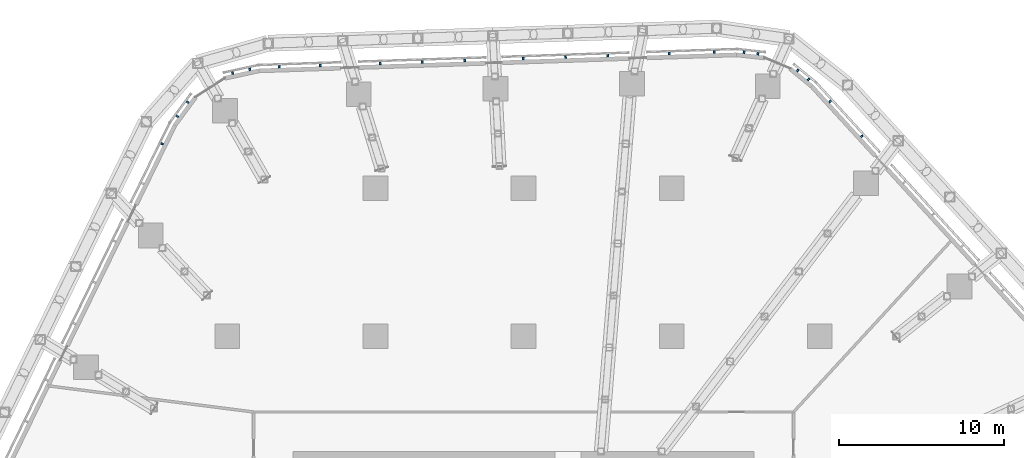
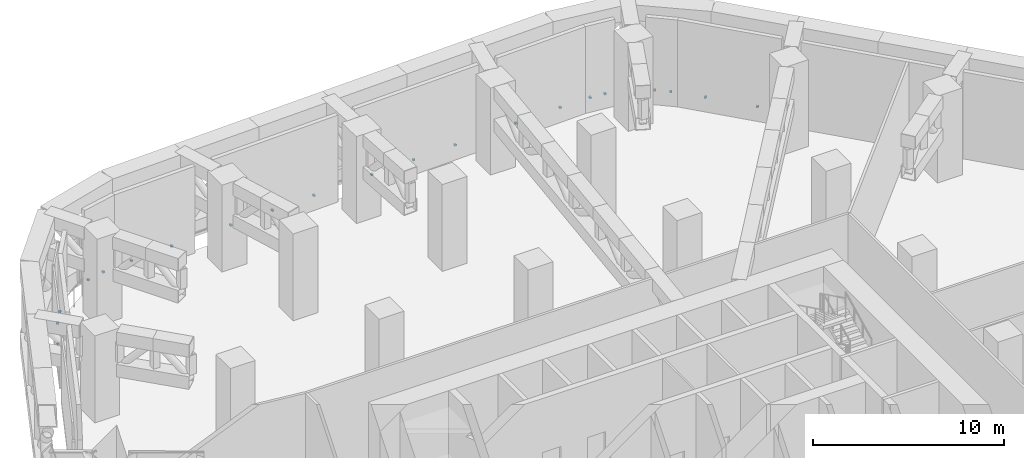
# One storey, part 30 of 38: 21 discrete accessories, 5 elements without a shape of their own.
"""IFC4 building model written with IfcOpenShell, lengths in metres."""

from ifc_helpers import new_model, si_unit, direction, frame, origin, origin_2d, place, context, subcontext, project, spatial, rectangle, extrude, material, layer, layer_set, type_object, element, aggregate, save


model = new_model("IFC4")

# Units and contexts
model_context = context("Model", 3, precision=1e-05, world=origin(), true_north=direction((0.0, 1.0)))
body_context = subcontext(model_context, "Body", "Model", "MODEL_VIEW")
ifc_project = project(units=[si_unit("LENGTHUNIT", "METRE"), si_unit("AREAUNIT", "SQUARE_METRE"), si_unit("VOLUMEUNIT", "CUBIC_METRE"), si_unit("PLANEANGLEUNIT", "RADIAN"), si_unit("MASSUNIT", "GRAM", prefix="KILO")], contexts=[model_context])

# Site, building, storey
site_placement = place(None, origin())
site = spatial("IfcSite", under=ifc_project, at=site_placement, CompositionType="ELEMENT")
building_placement = place(site_placement, origin())
building = spatial("IfcBuilding", under=site, at=building_placement, Name="Dongbaek Canopy Tower", CompositionType="ELEMENT")
storey_placement = place(building_placement, frame((0.0, 0.0, 89.199951171875)))
storey = spatial("IfcBuildingStorey", under=building, at=storey_placement, Name="L18", CompositionType="ELEMENT", Elevation=89.199951171875)

# Curtain wall, discrete accessories
ifc_material_1 = material(Name="Aluminium 6063-T6 pale anodised", Category="aluminium")
ifc_layer = layer(ifc_material_1, 0.14990234375)
ifc_layer_set = layer_set([ifc_layer], Name="CW-7 louvre curtain wall")
curtain_wall_type = type_object("IfcCurtainWallType", Name="CW-7 louvre curtain wall", PredefinedType="NOTDEFINED", material=ifc_layer_set)
curtain_wall_1_placement = place(storey_placement, origin())
curtain_wall_1 = element("IfcCurtainWall", 1, at=curtain_wall_1_placement, inside=storey, type_object=curtain_wall_type, Name="CW-7 louvre wall L18 F0", PredefinedType="NOTDEFINED")
ifc_material_2 = material(Name="Galvanised steel S355 bracket", Category="steel")
discrete_accessory_type = type_object("IfcDiscreteAccessoryType", Name="Louvre bracket BR1", PredefinedType="BRACKET", material=ifc_material_2)
discrete_accessory_1_placement = place(storey_placement, frame((20.550537109375, 30.158203125, 0.6650390625), z_axis=(0.0, 0.0, 1.0), x_axis=(-0.674646668897, 0.738140821352, 0.0)))
discrete_accessory_1 = element("IfcDiscreteAccessory", 2, at=discrete_accessory_1_placement, type_object=discrete_accessory_type, Name="Louvre bracket L18 F0.4.1", PredefinedType="BRACKET", context=body_context, shape_type="SweptSolid", body=[
    extrude(rectangle(XDim=0.1201171875, YDim=0.14990234375, at=origin_2d()), origin(), (0.0, 0.0, 1.0), 0.10009765625),
])
discrete_accessory_2_placement = place(storey_placement, frame((18.6240234375, 32.266357421875, 0.6650390625), z_axis=(0.0, 0.0, 1.0), x_axis=(-0.674646668897, 0.738140821352, 0.0)))
discrete_accessory_2 = element("IfcDiscreteAccessory", 3, at=discrete_accessory_2_placement, type_object=discrete_accessory_type, Name="Louvre bracket L18 F0.4.2", PredefinedType="BRACKET", context=body_context, shape_type="SweptSolid", body=[
    extrude(rectangle(XDim=0.1201171875, YDim=0.14990234375, at=origin_2d()), origin(), (0.0, 0.0, 1.0), 0.10009765625),
])
aggregate(curtain_wall_1, [discrete_accessory_1, discrete_accessory_2])

curtain_wall_2_placement = place(storey_placement, origin())
curtain_wall_2 = element("IfcCurtainWall", 4, at=curtain_wall_2_placement, inside=storey, type_object=curtain_wall_type, Name="CW-7 louvre wall L18 K1", PredefinedType="NOTDEFINED")
discrete_accessory_3_placement = place(storey_placement, frame((17.31103515625, 33.609375, 0.6650390625), z_axis=(0.0, 0.0, 1.0), x_axis=(-0.773563840337, 0.633718379821, 0.0)))
discrete_accessory_3 = element("IfcDiscreteAccessory", 5, at=discrete_accessory_3_placement, type_object=discrete_accessory_type, Name="Louvre bracket L18 K1.1.1", PredefinedType="BRACKET", context=body_context, shape_type="SweptSolid", body=[
    extrude(rectangle(XDim=0.1201171875, YDim=0.14990234375, at=origin_2d()), origin(), (0.0, 0.0, 1.0), 0.10009765625),
])
discrete_accessory_4_placement = place(storey_placement, frame((16.653564453125, 34.14794921875, 0.6650390625), z_axis=(0.0, 0.0, 1.0), x_axis=(-0.773563840337, 0.633718379821, 0.0)))
discrete_accessory_4 = element("IfcDiscreteAccessory", 6, at=discrete_accessory_4_placement, type_object=discrete_accessory_type, Name="Louvre bracket L18 K1.1.2", PredefinedType="BRACKET", context=body_context, shape_type="SweptSolid", body=[
    extrude(rectangle(XDim=0.1201171875, YDim=0.14990234375, at=origin_2d()), origin(), (0.0, 0.0, 1.0), 0.10009765625),
])
discrete_accessory_5_placement = place(storey_placement, frame((14.23779296875, 35.164794921875, 0.6650390625), z_axis=(0.0, 0.0, 1.0), x_axis=(-0.993899819316, 0.110286668117, 0.0)))
discrete_accessory_5 = element("IfcDiscreteAccessory", 7, at=discrete_accessory_5_placement, type_object=discrete_accessory_type, Name="Louvre bracket L18 K1.2.1", PredefinedType="BRACKET", context=body_context, shape_type="SweptSolid", body=[
    extrude(rectangle(XDim=0.1201171875, YDim=0.14990234375, at=origin_2d()), origin(), (0.0, 0.0, 1.0), 0.10009765625),
])
discrete_accessory_6_placement = place(storey_placement, frame((13.39306640625, 35.258544921875, 0.6650390625), z_axis=(0.0, 0.0, 1.0), x_axis=(-0.993899819316, 0.110286668117, 0.0)))
discrete_accessory_6 = element("IfcDiscreteAccessory", 8, at=discrete_accessory_6_placement, type_object=discrete_accessory_type, Name="Louvre bracket L18 K1.2.2", PredefinedType="BRACKET", context=body_context, shape_type="SweptSolid", body=[
    extrude(rectangle(XDim=0.1201171875, YDim=0.14990234375, at=origin_2d()), origin(), (0.0, 0.0, 1.0), 0.10009765625),
])
aggregate(curtain_wall_2, [discrete_accessory_3, discrete_accessory_4, discrete_accessory_5, discrete_accessory_6])

curtain_wall_3_placement = place(storey_placement, origin())
curtain_wall_3 = element("IfcCurtainWall", 9, at=curtain_wall_3_placement, inside=storey, type_object=curtain_wall_type, Name="CW-7 louvre wall L18 F1", PredefinedType="NOTDEFINED")
discrete_accessory_7_placement = place(storey_placement, frame((11.578369140625, 35.260986328125, 0.6650390625), z_axis=(0.0, 0.0, 1.0), x_axis=(-0.999440657305, -0.033442077166, 0.0)))
discrete_accessory_7 = element("IfcDiscreteAccessory", 10, at=discrete_accessory_7_placement, type_object=discrete_accessory_type, Name="Louvre bracket L18 F1.1.1", PredefinedType="BRACKET", context=body_context, shape_type="SweptSolid", body=[
    extrude(rectangle(XDim=0.1201171875, YDim=0.14990234375, at=origin_2d()), origin(), (0.0, 0.0, 1.0), 0.10009765625),
])
discrete_accessory_8_placement = place(storey_placement, frame((8.8515625, 35.169677734375, 0.6650390625), z_axis=(0.0, 0.0, 1.0), x_axis=(-0.999440657305, -0.033442077166, 0.0)))
discrete_accessory_8 = element("IfcDiscreteAccessory", 11, at=discrete_accessory_8_placement, type_object=discrete_accessory_type, Name="Louvre bracket L18 F1.1.2", PredefinedType="BRACKET", context=body_context, shape_type="SweptSolid", body=[
    extrude(rectangle(XDim=0.1201171875, YDim=0.14990234375, at=origin_2d()), origin(), (0.0, 0.0, 1.0), 0.10009765625),
])
discrete_accessory_9_placement = place(storey_placement, frame((5.108642578125, 35.04443359375, 0.6650390625), z_axis=(0.0, 0.0, 1.0), x_axis=(-0.999440657305, -0.033442077166, 0.0)))
discrete_accessory_9 = element("IfcDiscreteAccessory", 12, at=discrete_accessory_9_placement, type_object=discrete_accessory_type, Name="Louvre bracket L18 F1.2.1", PredefinedType="BRACKET", context=body_context, shape_type="SweptSolid", body=[
    extrude(rectangle(XDim=0.1201171875, YDim=0.14990234375, at=origin_2d()), origin(), (0.0, 0.0, 1.0), 0.10009765625),
])
discrete_accessory_10_placement = place(storey_placement, frame((2.54638671875, 34.958740234375, 0.6650390625), z_axis=(0.0, 0.0, 1.0), x_axis=(-0.999440657305, -0.033442077166, 0.0)))
discrete_accessory_10 = element("IfcDiscreteAccessory", 13, at=discrete_accessory_10_placement, type_object=discrete_accessory_type, Name="Louvre bracket L18 F1.2.2", PredefinedType="BRACKET", context=body_context, shape_type="SweptSolid", body=[
    extrude(rectangle(XDim=0.1201171875, YDim=0.14990234375, at=origin_2d()), origin(), (0.0, 0.0, 1.0), 0.10009765625),
])
discrete_accessory_11_placement = place(storey_placement, frame((-0.015869140625, 34.873046875, 0.6650390625), z_axis=(0.0, 0.0, 1.0), x_axis=(-0.999440657305, -0.033442077166, 0.0)))
discrete_accessory_11 = element("IfcDiscreteAccessory", 14, at=discrete_accessory_11_placement, type_object=discrete_accessory_type, Name="Louvre bracket L18 F1.2.3", PredefinedType="BRACKET", context=body_context, shape_type="SweptSolid", body=[
    extrude(rectangle(XDim=0.1201171875, YDim=0.14990234375, at=origin_2d()), origin(), (0.0, 0.0, 1.0), 0.10009765625),
])
discrete_accessory_12_placement = place(storey_placement, frame((-3.58740234375, 34.75341796875, 0.6650390625), z_axis=(0.0, 0.0, 1.0), x_axis=(-0.999440657305, -0.033442077166, 0.0)))
discrete_accessory_12 = element("IfcDiscreteAccessory", 15, at=discrete_accessory_12_placement, type_object=discrete_accessory_type, Name="Louvre bracket L18 F1.3.1", PredefinedType="BRACKET", context=body_context, shape_type="SweptSolid", body=[
    extrude(rectangle(XDim=0.1201171875, YDim=0.14990234375, at=origin_2d()), origin(), (0.0, 0.0, 1.0), 0.10009765625),
])
discrete_accessory_13_placement = place(storey_placement, frame((-6.154296875, 34.667724609375, 0.6650390625), z_axis=(0.0, 0.0, 1.0), x_axis=(-0.999440657305, -0.033442077166, 0.0)))
discrete_accessory_13 = element("IfcDiscreteAccessory", 16, at=discrete_accessory_13_placement, type_object=discrete_accessory_type, Name="Louvre bracket L18 F1.3.2", PredefinedType="BRACKET", context=body_context, shape_type="SweptSolid", body=[
    extrude(rectangle(XDim=0.1201171875, YDim=0.14990234375, at=origin_2d()), origin(), (0.0, 0.0, 1.0), 0.10009765625),
])
discrete_accessory_14_placement = place(storey_placement, frame((-8.72119140625, 34.581787109375, 0.6650390625), z_axis=(0.0, 0.0, 1.0), x_axis=(-0.999440657305, -0.033442077166, 0.0)))
discrete_accessory_14 = element("IfcDiscreteAccessory", 17, at=discrete_accessory_14_placement, type_object=discrete_accessory_type, Name="Louvre bracket L18 F1.3.3", PredefinedType="BRACKET", context=body_context, shape_type="SweptSolid", body=[
    extrude(rectangle(XDim=0.1201171875, YDim=0.14990234375, at=origin_2d()), origin(), (0.0, 0.0, 1.0), 0.10009765625),
])
discrete_accessory_15_placement = place(storey_placement, frame((-12.359375, 34.4599609375, 0.6650390625), z_axis=(0.0, 0.0, 1.0), x_axis=(-0.999440657305, -0.033442077166, 0.0)))
discrete_accessory_15 = element("IfcDiscreteAccessory", 18, at=discrete_accessory_15_placement, type_object=discrete_accessory_type, Name="Louvre bracket L18 F1.4.1", PredefinedType="BRACKET", context=body_context, shape_type="SweptSolid", body=[
    extrude(rectangle(XDim=0.1201171875, YDim=0.14990234375, at=origin_2d()), origin(), (0.0, 0.0, 1.0), 0.10009765625),
])
discrete_accessory_16_placement = place(storey_placement, frame((-14.840576171875, 34.376953125, 0.6650390625), z_axis=(0.0, 0.0, 1.0), x_axis=(-0.999440657305, -0.033442077166, 0.0)))
discrete_accessory_16 = element("IfcDiscreteAccessory", 19, at=discrete_accessory_16_placement, type_object=discrete_accessory_type, Name="Louvre bracket L18 F1.4.2", PredefinedType="BRACKET", context=body_context, shape_type="SweptSolid", body=[
    extrude(rectangle(XDim=0.1201171875, YDim=0.14990234375, at=origin_2d()), origin(), (0.0, 0.0, 1.0), 0.10009765625),
])
aggregate(curtain_wall_3, [discrete_accessory_7, discrete_accessory_8, discrete_accessory_9, discrete_accessory_10, discrete_accessory_11, discrete_accessory_12, discrete_accessory_13, discrete_accessory_14, discrete_accessory_15, discrete_accessory_16])

curtain_wall_4_placement = place(storey_placement, origin())
curtain_wall_4 = element("IfcCurtainWall", 20, at=curtain_wall_4_placement, inside=storey, type_object=curtain_wall_type, Name="CW-7 louvre wall L18 K2", PredefinedType="NOTDEFINED")
discrete_accessory_17_placement = place(storey_placement, frame((-16.63671875, 34.218017578125, 0.6650390625), z_axis=(0.0, 0.0, 1.0), x_axis=(-0.977178622754, -0.212419253442, 0.0)))
discrete_accessory_17 = element("IfcDiscreteAccessory", 21, at=discrete_accessory_17_placement, type_object=discrete_accessory_type, Name="Louvre bracket L18 K2.1.1", PredefinedType="BRACKET", context=body_context, shape_type="SweptSolid", body=[
    extrude(rectangle(XDim=0.1201171875, YDim=0.14990234375, at=origin_2d()), origin(), (0.0, 0.0, 1.0), 0.10009765625),
])
discrete_accessory_18_placement = place(storey_placement, frame((-17.676513671875, 33.991943359375, 0.6650390625), z_axis=(0.0, 0.0, 1.0), x_axis=(-0.977178622754, -0.212419253442, 0.0)))
discrete_accessory_18 = element("IfcDiscreteAccessory", 22, at=discrete_accessory_18_placement, type_object=discrete_accessory_type, Name="Louvre bracket L18 K2.1.2", PredefinedType="BRACKET", context=body_context, shape_type="SweptSolid", body=[
    extrude(rectangle(XDim=0.1201171875, YDim=0.14990234375, at=origin_2d()), origin(), (0.0, 0.0, 1.0), 0.10009765625),
])
discrete_accessory_19_placement = place(storey_placement, frame((-20.408203125, 32.220703125, 0.6650390625), z_axis=(0.0, 0.0, 1.0), x_axis=(-0.59264549968, -0.805463414258, 0.0)))
discrete_accessory_19 = element("IfcDiscreteAccessory", 23, at=discrete_accessory_19_placement, type_object=discrete_accessory_type, Name="Louvre bracket L18 K2.2.1", PredefinedType="BRACKET", context=body_context, shape_type="SweptSolid", body=[
    extrude(rectangle(XDim=0.1201171875, YDim=0.14990234375, at=origin_2d()), origin(), (0.0, 0.0, 1.0), 0.10009765625),
])
discrete_accessory_20_placement = place(storey_placement, frame((-21.038818359375, 31.36376953125, 0.6650390625), z_axis=(0.0, 0.0, 1.0), x_axis=(-0.59264549968, -0.805463414258, 0.0)))
discrete_accessory_20 = element("IfcDiscreteAccessory", 24, at=discrete_accessory_20_placement, type_object=discrete_accessory_type, Name="Louvre bracket L18 K2.2.2", PredefinedType="BRACKET", context=body_context, shape_type="SweptSolid", body=[
    extrude(rectangle(XDim=0.1201171875, YDim=0.14990234375, at=origin_2d()), origin(), (0.0, 0.0, 1.0), 0.10009765625),
])
aggregate(curtain_wall_4, [discrete_accessory_17, discrete_accessory_18, discrete_accessory_19, discrete_accessory_20])

# Curtain wall, discrete accessory
curtain_wall_5_placement = place(storey_placement, origin())
curtain_wall_5 = element("IfcCurtainWall", 25, at=curtain_wall_5_placement, inside=storey, type_object=curtain_wall_type, Name="CW-7 louvre wall L18 F2", PredefinedType="NOTDEFINED")
discrete_accessory_21_placement = place(storey_placement, frame((-21.96142578125, 29.697021484375, 0.6650390625), z_axis=(0.0, 0.0, 1.0), x_axis=(-0.438327995219, -0.898815091444, 0.0)))
discrete_accessory_21 = element("IfcDiscreteAccessory", 26, at=discrete_accessory_21_placement, type_object=discrete_accessory_type, Name="Louvre bracket L18 F2.1.1", PredefinedType="BRACKET", context=body_context, shape_type="SweptSolid", body=[
    extrude(rectangle(XDim=0.1201171875, YDim=0.14990234375, at=origin_2d()), origin(), (0.0, 0.0, 1.0), 0.10009765625),
])
aggregate(curtain_wall_5, [discrete_accessory_21])

save(model, "model.ifc")
